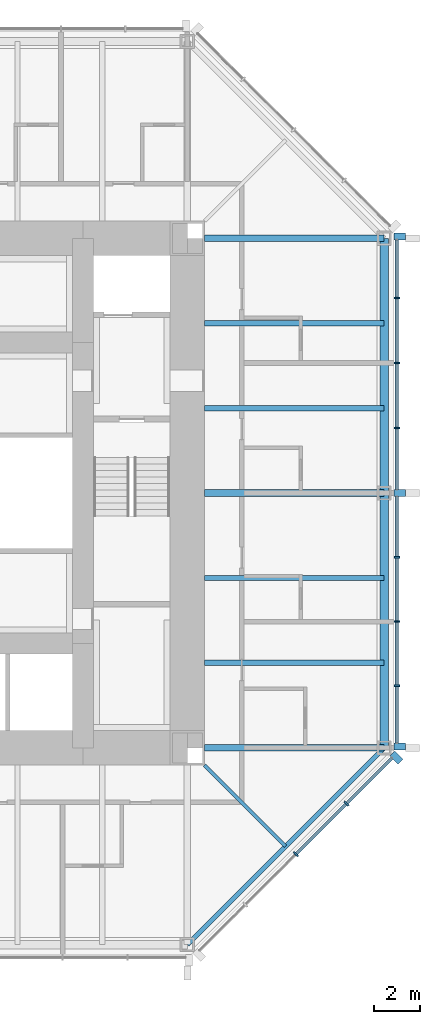
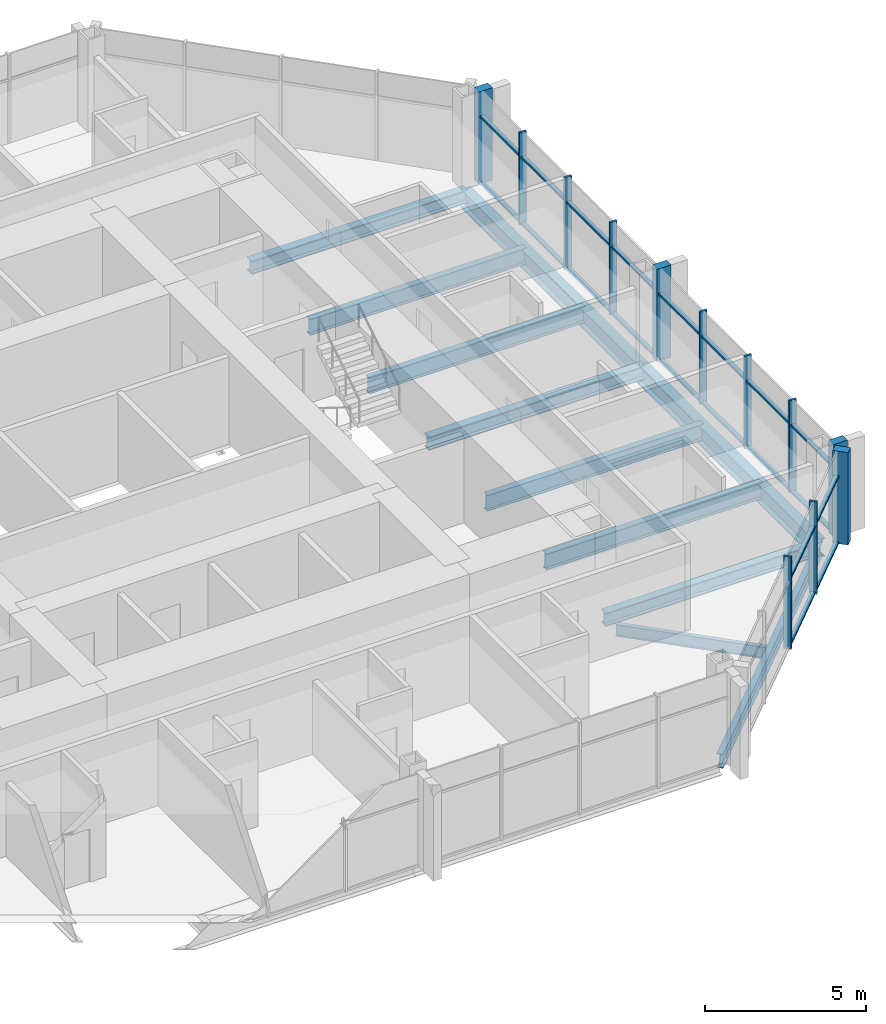
# One storey, part 4 of 12: 32 members, 11 beams, 2 elements without a shape of their own.
"""IFC4 building model written with IfcOpenShell, lengths in metres."""

from ifc_helpers import new_model, si_unit, direction, frame, origin, origin_2d, place, context, subcontext, project, spatial, rectangle, i_section, extrude, material, material_profile, profile_set, type_object, element, aggregate, save


model = new_model("IFC4")

# Units and contexts
model_context = context("Model", 3, precision=1e-05, world=origin(), true_north=direction((0.0, 1.0)))
body_context = subcontext(model_context, "Body", "Model", "MODEL_VIEW")
ifc_project = project(units=[si_unit("LENGTHUNIT", "METRE"), si_unit("AREAUNIT", "SQUARE_METRE"), si_unit("VOLUMEUNIT", "CUBIC_METRE"), si_unit("PLANEANGLEUNIT", "RADIAN"), si_unit("MASSUNIT", "GRAM", prefix="KILO")], contexts=[model_context])

# Site, building, storey
site_placement = place(None, origin())
site = spatial("IfcSite", under=ifc_project, at=site_placement, CompositionType="ELEMENT")
building_placement = place(site_placement, origin())
building = spatial("IfcBuilding", under=site, at=building_placement, Name="Trevanion Tower", CompositionType="ELEMENT")
storey_placement = place(building_placement, frame((0.0, 0.0, 190.699951171875)))
storey = spatial("IfcBuildingStorey", under=building, at=storey_placement, Name="L44", CompositionType="ELEMENT", Elevation=190.699951171875)

# Beams
ifc_material_1 = material(Name="Steel ASTM A992 Grade 50", Category="steel")
ifc_material_profile_1 = material_profile(ifc_material_1, i_section(OverallWidth=0.228271484375, OverallDepth=0.607177734375, WebThickness=0.01123046875, FlangeThickness=0.017333984375, at=origin_2d()), Name="W24X76")
ifc_profile_set_1 = profile_set([ifc_material_profile_1], Name="Steel ASTM A992 Grade 50")
beam_type_1 = type_object("IfcBeamType", Name="B11 W24X76", PredefinedType="BEAM", material=ifc_profile_set_1)
for number, where, z_axis, x_axis, name in (
    (1, (11.75, -7.333251953125, -0.493408203125), (1.0, 0.0, 0.0), (0.0, 1.0, 0.0), "B11 L44"),
    (2, (11.75, -3.666748046875, -0.493408203125), (1.0, 0.0, 0.0), (0.0, 1.0, 0.0), "B11 L44"),
    (3, (11.75, 3.666748046875, -0.493408203125), (1.0, 0.0, 0.0), (0.0, 1.0, 0.0), "B11 L44"),
    (4, (11.75, 7.333251953125, -0.493408203125), (1.0, 0.0, 0.0), (0.0, 1.0, 0.0), "B11 L44"),
):
    element("IfcBeam", number, at=place(storey_placement, frame(where, z_axis=z_axis, x_axis=x_axis)), inside=storey, type_object=beam_type_1, Name=name, PredefinedType="BEAM", context=body_context, shape_type="SweptSolid", body=[
        extrude(i_section(OverallWidth=0.228271484375, OverallDepth=0.607177734375, WebThickness=0.01123046875, FlangeThickness=0.017333984375, at=origin_2d()), origin(), (0.0, 0.0, 1.0), 7.75),
    ])
ifc_material_2 = material(Name="Steel ASTM A992 Grade 50", Category="steel")
ifc_material_profile_2 = material_profile(ifc_material_2, i_section(OverallWidth=0.15234375, OverallDepth=0.449462890625, WebThickness=0.007568359375, FlangeThickness=0.0107421875, at=origin_2d()), Name="W18X35")
ifc_profile_set_2 = profile_set([ifc_material_profile_2], Name="Steel ASTM A992 Grade 50")
beam_type_2 = type_object("IfcBeamType", Name="B12 W18X35", PredefinedType="BEAM", material=ifc_profile_set_2)
beam_1_placement = place(storey_placement, frame((11.75, -11.75, -0.414794921875), z_axis=(0.707106781187, -0.707106781187, 0.0), x_axis=(0.707106781187, 0.707106781187, 0.0)))
element("IfcBeam", 5, at=beam_1_placement, inside=storey, type_object=beam_type_2, Name="B12 L44", PredefinedType="BEAM", context=body_context, shape_type="SweptSolid", body=[
    extrude(i_section(OverallWidth=0.15234375, OverallDepth=0.449462890625, WebThickness=0.007568359375, FlangeThickness=0.0107421875, at=origin_2d()), origin(), (0.0, 0.0, 1.0), 4.94970703125),
])

# Curtain wall, members
ifc_material_3 = material(Name="Aluminium and glass", Category="aluminium")
curtain_wall_type = type_object("IfcCurtainWallType", Name="CW3 curtain wall", PredefinedType="USERDEFINED", material=ifc_material_3)
curtain_wall_1_placement = place(storey_placement, origin())
curtain_wall_1 = element("IfcCurtainWall", 6, at=curtain_wall_1_placement, inside=storey, type_object=curtain_wall_type, Name="CW3 L44 0", ObjectType="UNITISED CURTAIN WALL", PredefinedType="USERDEFINED")
ifc_material_4 = material(Name="Aluminium extrusion, anodised bronze", Category="aluminium")
ifc_material_profile_3 = material_profile(ifc_material_4, rectangle(XDim=0.074951171875, YDim=0.25, at=origin_2d()), Name="CW3 mullion")
ifc_profile_set_3 = profile_set([ifc_material_profile_3], Name="Aluminium extrusion, anodised bronze")
member_type_1 = type_object("IfcMemberType", Name="CW3 mullion", PredefinedType="MULLION", material=ifc_profile_set_3)
member_1_placement = place(storey_placement, frame((20.050048828125, -8.323486328125, -0.18994140625), z_axis=(0.0, 0.0, 1.0), x_axis=(0.0, 1.0, 0.0)))
member_1 = element("IfcMember", 7, at=member_1_placement, type_object=member_type_1, Name="CW3 mullion 2", PredefinedType="MULLION", context=body_context, shape_type="SweptSolid", body=[
    extrude(rectangle(XDim=0.074951171875, YDim=0.25, at=origin_2d()), origin(), (0.0, 0.0, 1.0), 3.5),
])
member_2_placement = place(storey_placement, frame((20.050048828125, -5.548828125, -0.18994140625), z_axis=(0.0, 0.0, 1.0), x_axis=(0.0, 1.0, 0.0)))
member_2 = element("IfcMember", 8, at=member_2_placement, type_object=member_type_1, Name="CW3 mullion 3", PredefinedType="MULLION", context=body_context, shape_type="SweptSolid", body=[
    extrude(rectangle(XDim=0.074951171875, YDim=0.25, at=origin_2d()), origin(), (0.0, 0.0, 1.0), 3.5),
])
member_3_placement = place(storey_placement, frame((20.050048828125, -2.7744140625, -0.18994140625), z_axis=(0.0, 0.0, 1.0), x_axis=(0.0, 1.0, 0.0)))
member_3 = element("IfcMember", 9, at=member_3_placement, type_object=member_type_1, Name="CW3 mullion 4", PredefinedType="MULLION", context=body_context, shape_type="SweptSolid", body=[
    extrude(rectangle(XDim=0.074951171875, YDim=0.25, at=origin_2d()), origin(), (0.0, 0.0, 1.0), 3.5),
])
member_4_placement = place(storey_placement, frame((20.050048828125, 2.806884765625, -0.18994140625), z_axis=(0.0, 0.0, 1.0), x_axis=(0.0, 1.0, 0.0)))
member_4 = element("IfcMember", 10, at=member_4_placement, type_object=member_type_1, Name="CW3 mullion 6", PredefinedType="MULLION", context=body_context, shape_type="SweptSolid", body=[
    extrude(rectangle(XDim=0.074951171875, YDim=0.25, at=origin_2d()), origin(), (0.0, 0.0, 1.0), 3.5),
])
member_5_placement = place(storey_placement, frame((20.050048828125, 5.614013671875, -0.18994140625), z_axis=(0.0, 0.0, 1.0), x_axis=(0.0, 1.0, 0.0)))
member_5 = element("IfcMember", 11, at=member_5_placement, type_object=member_type_1, Name="CW3 mullion 7", PredefinedType="MULLION", context=body_context, shape_type="SweptSolid", body=[
    extrude(rectangle(XDim=0.074951171875, YDim=0.25, at=origin_2d()), origin(), (0.0, 0.0, 1.0), 3.5),
])
member_6_placement = place(storey_placement, frame((20.050048828125, 8.4208984375, -0.18994140625), z_axis=(0.0, 0.0, 1.0), x_axis=(0.0, 1.0, 0.0)))
member_6 = element("IfcMember", 12, at=member_6_placement, type_object=member_type_1, Name="CW3 mullion 8", PredefinedType="MULLION", context=body_context, shape_type="SweptSolid", body=[
    extrude(rectangle(XDim=0.074951171875, YDim=0.25, at=origin_2d()), origin(), (0.0, 0.0, 1.0), 3.5),
])

curtain_wall_2_placement = place(storey_placement, origin())
curtain_wall_2 = element("IfcCurtainWall", 13, at=curtain_wall_2_placement, inside=storey, type_object=curtain_wall_type, Name="CW3 L44 7", ObjectType="UNITISED CURTAIN WALL", PredefinedType="USERDEFINED")
member_7_placement = place(storey_placement, frame((15.684814453125, -15.593017578125, -0.18994140625), z_axis=(0.0, 0.0, 1.0), x_axis=(0.707106781187, 0.707106781187, 0.0)))
member_7 = element("IfcMember", 14, at=member_7_placement, type_object=member_type_1, Name="CW3 mullion 3", PredefinedType="MULLION", context=body_context, shape_type="SweptSolid", body=[
    extrude(rectangle(XDim=0.074951171875, YDim=0.25, at=origin_2d()), origin(), (0.0, 0.0, 1.0), 3.5),
])
member_8_placement = place(storey_placement, frame((17.867431640625, -13.410400390625, -0.18994140625), z_axis=(0.0, 0.0, 1.0), x_axis=(0.707106781187, 0.707106781187, 0.0)))
member_8 = element("IfcMember", 15, at=member_8_placement, type_object=member_type_1, Name="CW3 mullion 4", PredefinedType="MULLION", context=body_context, shape_type="SweptSolid", body=[
    extrude(rectangle(XDim=0.074951171875, YDim=0.25, at=origin_2d()), origin(), (0.0, 0.0, 1.0), 3.5),
])

# Member
ifc_material_5 = material(Name="Aluminium extrusion, anodised bronze", Category="aluminium")
ifc_material_profile_4 = material_profile(ifc_material_5, rectangle(XDim=0.300048828125, YDim=0.5, at=origin_2d()), Name="CW3 pier mullion")
ifc_profile_set_4 = profile_set([ifc_material_profile_4], Name="Aluminium extrusion, anodised bronze")
member_type_2 = type_object("IfcMemberType", Name="CW3 pier mullion", PredefinedType="MULLION", material=ifc_profile_set_4)
member_9_placement = place(storey_placement, frame((20.175048828125, -10.94775390625, -0.18994140625), z_axis=(0.0, 0.0, 1.0), x_axis=(0.0, 1.0, 0.0)))
member_9 = element("IfcMember", 16, at=member_9_placement, type_object=member_type_2, Name="CW3 pier mullion 1", PredefinedType="MULLION", context=body_context, shape_type="SweptSolid", body=[
    extrude(rectangle(XDim=0.300048828125, YDim=0.5, at=origin_2d()), origin(), (0.0, 0.0, 1.0), 3.5),
])

member_10_placement = place(storey_placement, frame((20.175048828125, 0.0, -0.18994140625), z_axis=(0.0, 0.0, 1.0), x_axis=(0.0, 1.0, 0.0)))
member_10 = element("IfcMember", 17, at=member_10_placement, type_object=member_type_2, Name="CW3 pier mullion 5", PredefinedType="MULLION", context=body_context, shape_type="SweptSolid", body=[
    extrude(rectangle(XDim=0.300048828125, YDim=0.5, at=origin_2d()), origin(), (0.0, 0.0, 1.0), 3.5),
])

member_11_placement = place(storey_placement, frame((20.175048828125, 11.077880859375, -0.18994140625), z_axis=(0.0, 0.0, 1.0), x_axis=(0.0, 1.0, 0.0)))
member_11 = element("IfcMember", 18, at=member_11_placement, type_object=member_type_2, Name="CW3 pier mullion 9", PredefinedType="MULLION", context=body_context, shape_type="SweptSolid", body=[
    extrude(rectangle(XDim=0.300048828125, YDim=0.5, at=origin_2d()), origin(), (0.0, 0.0, 1.0), 3.5),
])

member_12_placement = place(storey_placement, frame((20.0322265625, -11.42236328125, -0.18994140625), z_axis=(0.0, 0.0, 1.0), x_axis=(0.707106781187, 0.707106781187, 0.0)))
member_12 = element("IfcMember", 19, at=member_12_placement, type_object=member_type_2, Name="CW3 pier mullion 5", PredefinedType="MULLION", context=body_context, shape_type="SweptSolid", body=[
    extrude(rectangle(XDim=0.300048828125, YDim=0.5, at=origin_2d()), origin(), (0.0, 0.0, 1.0), 3.5),
])

ifc_material_6 = material(Name="Aluminium extrusion, anodised bronze", Category="aluminium")
ifc_material_profile_5 = material_profile(ifc_material_6, rectangle(XDim=0.14990234375, YDim=0.074951171875, at=origin_2d()), Name="CW3 transom")
ifc_profile_set_5 = profile_set([ifc_material_profile_5], Name="Aluminium extrusion, anodised bronze")
member_type_3 = type_object("IfcMemberType", Name="CW3 transom", PredefinedType="USERDEFINED", material=ifc_profile_set_5)
member_13_placement = place(storey_placement, frame((20.050048828125, -10.7978515625, -0.15234375), z_axis=(0.0, 1.0, 0.0), x_axis=(-1.0, 0.0, 0.0)))
member_13 = element("IfcMember", 20, at=member_13_placement, type_object=member_type_3, Name="CW3 transom 1.1", ObjectType="TRANSOM", PredefinedType="USERDEFINED", context=body_context, shape_type="SweptSolid", body=[
    extrude(rectangle(XDim=0.14990234375, YDim=0.074951171875, at=origin_2d()), origin(), (0.0, 0.0, 1.0), 2.43701171875),
])

member_14_placement = place(storey_placement, frame((20.050048828125, -10.7978515625, 2.360107421875), z_axis=(0.0, 1.0, 0.0), x_axis=(-1.0, 0.0, 0.0)))
member_14 = element("IfcMember", 21, at=member_14_placement, type_object=member_type_3, Name="CW3 transom 1.2", ObjectType="TRANSOM", PredefinedType="USERDEFINED", context=body_context, shape_type="SweptSolid", body=[
    extrude(rectangle(XDim=0.14990234375, YDim=0.074951171875, at=origin_2d()), origin(), (0.0, 0.0, 1.0), 2.43701171875),
])

member_15_placement = place(storey_placement, frame((20.050048828125, -8.285888671875, -0.15234375), z_axis=(0.0, 1.0, 0.0), x_axis=(-1.0, 0.0, 0.0)))
member_15 = element("IfcMember", 22, at=member_15_placement, type_object=member_type_3, Name="CW3 transom 2.1", ObjectType="TRANSOM", PredefinedType="USERDEFINED", context=body_context, shape_type="SweptSolid", body=[
    extrude(rectangle(XDim=0.14990234375, YDim=0.074951171875, at=origin_2d()), origin(), (0.0, 0.0, 1.0), 2.699462890625),
])

member_16_placement = place(storey_placement, frame((20.050048828125, -8.285888671875, 2.360107421875), z_axis=(0.0, 1.0, 0.0), x_axis=(-1.0, 0.0, 0.0)))
member_16 = element("IfcMember", 23, at=member_16_placement, type_object=member_type_3, Name="CW3 transom 2.2", ObjectType="TRANSOM", PredefinedType="USERDEFINED", context=body_context, shape_type="SweptSolid", body=[
    extrude(rectangle(XDim=0.14990234375, YDim=0.074951171875, at=origin_2d()), origin(), (0.0, 0.0, 1.0), 2.699462890625),
])

member_17_placement = place(storey_placement, frame((20.050048828125, -5.511474609375, -0.15234375), z_axis=(0.0, 1.0, 0.0), x_axis=(-1.0, 0.0, 0.0)))
member_17 = element("IfcMember", 24, at=member_17_placement, type_object=member_type_3, Name="CW3 transom 3.1", ObjectType="TRANSOM", PredefinedType="USERDEFINED", context=body_context, shape_type="SweptSolid", body=[
    extrude(rectangle(XDim=0.14990234375, YDim=0.074951171875, at=origin_2d()), origin(), (0.0, 0.0, 1.0), 2.699462890625),
])

member_18_placement = place(storey_placement, frame((20.050048828125, -5.511474609375, 2.360107421875), z_axis=(0.0, 1.0, 0.0), x_axis=(-1.0, 0.0, 0.0)))
member_18 = element("IfcMember", 25, at=member_18_placement, type_object=member_type_3, Name="CW3 transom 3.2", ObjectType="TRANSOM", PredefinedType="USERDEFINED", context=body_context, shape_type="SweptSolid", body=[
    extrude(rectangle(XDim=0.14990234375, YDim=0.074951171875, at=origin_2d()), origin(), (0.0, 0.0, 1.0), 2.699462890625),
])

member_19_placement = place(storey_placement, frame((20.050048828125, -2.737060546875, -0.15234375), z_axis=(0.0, 1.0, 0.0), x_axis=(-1.0, 0.0, 0.0)))
member_19 = element("IfcMember", 26, at=member_19_placement, type_object=member_type_3, Name="CW3 transom 4.1", ObjectType="TRANSOM", PredefinedType="USERDEFINED", context=body_context, shape_type="SweptSolid", body=[
    extrude(rectangle(XDim=0.14990234375, YDim=0.074951171875, at=origin_2d()), origin(), (0.0, 0.0, 1.0), 2.587158203125),
])

member_20_placement = place(storey_placement, frame((20.050048828125, -2.737060546875, 2.360107421875), z_axis=(0.0, 1.0, 0.0), x_axis=(-1.0, 0.0, 0.0)))
member_20 = element("IfcMember", 27, at=member_20_placement, type_object=member_type_3, Name="CW3 transom 4.2", ObjectType="TRANSOM", PredefinedType="USERDEFINED", context=body_context, shape_type="SweptSolid", body=[
    extrude(rectangle(XDim=0.14990234375, YDim=0.074951171875, at=origin_2d()), origin(), (0.0, 0.0, 1.0), 2.587158203125),
])

member_21_placement = place(storey_placement, frame((20.050048828125, 0.14990234375, -0.15234375), z_axis=(0.0, 1.0, 0.0), x_axis=(-1.0, 0.0, 0.0)))
member_21 = element("IfcMember", 28, at=member_21_placement, type_object=member_type_3, Name="CW3 transom 5.1", ObjectType="TRANSOM", PredefinedType="USERDEFINED", context=body_context, shape_type="SweptSolid", body=[
    extrude(rectangle(XDim=0.14990234375, YDim=0.074951171875, at=origin_2d()), origin(), (0.0, 0.0, 1.0), 2.619384765625),
])

member_22_placement = place(storey_placement, frame((20.050048828125, 0.14990234375, 2.360107421875), z_axis=(0.0, 1.0, 0.0), x_axis=(-1.0, 0.0, 0.0)))
member_22 = element("IfcMember", 29, at=member_22_placement, type_object=member_type_3, Name="CW3 transom 5.2", ObjectType="TRANSOM", PredefinedType="USERDEFINED", context=body_context, shape_type="SweptSolid", body=[
    extrude(rectangle(XDim=0.14990234375, YDim=0.074951171875, at=origin_2d()), origin(), (0.0, 0.0, 1.0), 2.619384765625),
])

member_23_placement = place(storey_placement, frame((20.050048828125, 2.844482421875, -0.15234375), z_axis=(0.0, 1.0, 0.0), x_axis=(-1.0, 0.0, 0.0)))
member_23 = element("IfcMember", 30, at=member_23_placement, type_object=member_type_3, Name="CW3 transom 6.1", ObjectType="TRANSOM", PredefinedType="USERDEFINED", context=body_context, shape_type="SweptSolid", body=[
    extrude(rectangle(XDim=0.14990234375, YDim=0.074951171875, at=origin_2d()), origin(), (0.0, 0.0, 1.0), 2.73193359375),
])

member_24_placement = place(storey_placement, frame((20.050048828125, 2.844482421875, 2.360107421875), z_axis=(0.0, 1.0, 0.0), x_axis=(-1.0, 0.0, 0.0)))
member_24 = element("IfcMember", 31, at=member_24_placement, type_object=member_type_3, Name="CW3 transom 6.2", ObjectType="TRANSOM", PredefinedType="USERDEFINED", context=body_context, shape_type="SweptSolid", body=[
    extrude(rectangle(XDim=0.14990234375, YDim=0.074951171875, at=origin_2d()), origin(), (0.0, 0.0, 1.0), 2.73193359375),
])

member_25_placement = place(storey_placement, frame((20.050048828125, 5.6513671875, -0.15234375), z_axis=(0.0, 1.0, 0.0), x_axis=(-1.0, 0.0, 0.0)))
member_25 = element("IfcMember", 32, at=member_25_placement, type_object=member_type_3, Name="CW3 transom 7.1", ObjectType="TRANSOM", PredefinedType="USERDEFINED", context=body_context, shape_type="SweptSolid", body=[
    extrude(rectangle(XDim=0.14990234375, YDim=0.074951171875, at=origin_2d()), origin(), (0.0, 0.0, 1.0), 2.73193359375),
])

member_26_placement = place(storey_placement, frame((20.050048828125, 5.6513671875, 2.360107421875), z_axis=(0.0, 1.0, 0.0), x_axis=(-1.0, 0.0, 0.0)))
member_26 = element("IfcMember", 33, at=member_26_placement, type_object=member_type_3, Name="CW3 transom 7.2", ObjectType="TRANSOM", PredefinedType="USERDEFINED", context=body_context, shape_type="SweptSolid", body=[
    extrude(rectangle(XDim=0.14990234375, YDim=0.074951171875, at=origin_2d()), origin(), (0.0, 0.0, 1.0), 2.73193359375),
])

member_27_placement = place(storey_placement, frame((20.050048828125, 8.45849609375, -0.15234375), z_axis=(0.0, 1.0, 0.0), x_axis=(-1.0, 0.0, 0.0)))
member_27 = element("IfcMember", 34, at=member_27_placement, type_object=member_type_3, Name="CW3 transom 8.1", ObjectType="TRANSOM", PredefinedType="USERDEFINED", context=body_context, shape_type="SweptSolid", body=[
    extrude(rectangle(XDim=0.14990234375, YDim=0.074951171875, at=origin_2d()), origin(), (0.0, 0.0, 1.0), 2.46923828125),
])

member_28_placement = place(storey_placement, frame((20.050048828125, 8.45849609375, 2.360107421875), z_axis=(0.0, 1.0, 0.0), x_axis=(-1.0, 0.0, 0.0)))
member_28 = element("IfcMember", 35, at=member_28_placement, type_object=member_type_3, Name="CW3 transom 8.2", ObjectType="TRANSOM", PredefinedType="USERDEFINED", context=body_context, shape_type="SweptSolid", body=[
    extrude(rectangle(XDim=0.14990234375, YDim=0.074951171875, at=origin_2d()), origin(), (0.0, 0.0, 1.0), 2.46923828125),
])

aggregate(curtain_wall_1, [member_9, member_1, member_2, member_3, member_10, member_4, member_5, member_6, member_11, member_13, member_14, member_15, member_16, member_17, member_18, member_19, member_20, member_21, member_22, member_23, member_24, member_25, member_26, member_27, member_28])

member_29_placement = place(storey_placement, frame((15.71142578125, -15.56640625, -0.15234375), z_axis=(0.707106781187, 0.707106781187, 0.0), x_axis=(-0.707106781187, 0.707106781187, 0.0)))
member_29 = element("IfcMember", 36, at=member_29_placement, type_object=member_type_3, Name="CW3 transom 3.1", ObjectType="TRANSOM", PredefinedType="USERDEFINED", context=body_context, shape_type="SweptSolid", body=[
    extrude(rectangle(XDim=0.14990234375, YDim=0.074951171875, at=origin_2d()), origin(), (0.0, 0.0, 1.0), 3.011474609375),
])

member_30_placement = place(storey_placement, frame((15.71142578125, -15.56640625, 2.360107421875), z_axis=(0.707106781187, 0.707106781187, 0.0), x_axis=(-0.707106781187, 0.707106781187, 0.0)))
member_30 = element("IfcMember", 37, at=member_30_placement, type_object=member_type_3, Name="CW3 transom 3.2", ObjectType="TRANSOM", PredefinedType="USERDEFINED", context=body_context, shape_type="SweptSolid", body=[
    extrude(rectangle(XDim=0.14990234375, YDim=0.074951171875, at=origin_2d()), origin(), (0.0, 0.0, 1.0), 3.011474609375),
])

member_31_placement = place(storey_placement, frame((17.89404296875, -13.3837890625, -0.15234375), z_axis=(0.707106781187, 0.707106781187, 0.0), x_axis=(-0.707106781187, 0.707106781187, 0.0)))
member_31 = element("IfcMember", 38, at=member_31_placement, type_object=member_type_3, Name="CW3 transom 4.1", ObjectType="TRANSOM", PredefinedType="USERDEFINED", context=body_context, shape_type="SweptSolid", body=[
    extrude(rectangle(XDim=0.14990234375, YDim=0.074951171875, at=origin_2d()), origin(), (0.0, 0.0, 1.0), 2.7490234375),
])

member_32_placement = place(storey_placement, frame((17.89404296875, -13.3837890625, 2.360107421875), z_axis=(0.707106781187, 0.707106781187, 0.0), x_axis=(-0.707106781187, 0.707106781187, 0.0)))
member_32 = element("IfcMember", 39, at=member_32_placement, type_object=member_type_3, Name="CW3 transom 4.2", ObjectType="TRANSOM", PredefinedType="USERDEFINED", context=body_context, shape_type="SweptSolid", body=[
    extrude(rectangle(XDim=0.14990234375, YDim=0.074951171875, at=origin_2d()), origin(), (0.0, 0.0, 1.0), 2.7490234375),
])

aggregate(curtain_wall_2, [member_7, member_8, member_12, member_29, member_30, member_31, member_32])

# Beams
ifc_material_7 = material(Name="Steel ASTM A992 Grade 50", Category="steel")
ifc_material_profile_6 = material_profile(ifc_material_7, i_section(OverallWidth=0.28955078125, OverallDepth=0.508056640625, WebThickness=0.022705078125, FlangeThickness=0.040283203125, at=origin_2d()), Name="W18X175")
ifc_profile_set_6 = profile_set([ifc_material_profile_6], Name="Steel ASTM A992 Grade 50")
beam_type_3 = type_object("IfcBeamType", Name="G6 W18X175", PredefinedType="BEAM", material=ifc_profile_set_6)
for number, where, z_axis, x_axis, name in (
    (40, (11.75, -11.0, -0.44384765625), (1.0, 0.0, 0.0), (0.0, 1.0, 0.0), "G6 L44"),
    (41, (11.75, 0.0, -0.44384765625), (1.0, 0.0, 0.0), (0.0, 1.0, 0.0), "G6 L44"),
    (42, (11.75, 11.0, -0.44384765625), (1.0, 0.0, 0.0), (0.0, 1.0, 0.0), "G6 L44"),
):
    element("IfcBeam", number, at=place(storey_placement, frame(where, z_axis=z_axis, x_axis=x_axis)), inside=storey, type_object=beam_type_3, Name=name, PredefinedType="BEAM", context=body_context, shape_type="SweptSolid", body=[
        extrude(i_section(OverallWidth=0.28955078125, OverallDepth=0.508056640625, WebThickness=0.022705078125, FlangeThickness=0.040283203125, at=origin_2d()), origin(), (0.0, 0.0, 1.0), 7.75),
    ])
ifc_material_8 = material(Name="Steel ASTM A992 Grade 50", Category="steel")
ifc_material_profile_7 = material_profile(ifc_material_8, i_section(OverallWidth=0.355712890625, OverallDepth=0.696044921875, WebThickness=0.015380859375, FlangeThickness=0.024658203125, at=origin_2d()), Name="W27X146")
ifc_profile_set_7 = profile_set([ifc_material_profile_7], Name="Steel ASTM A992 Grade 50")
beam_type_4 = type_object("IfcBeamType", Name="SB8 W27X146", PredefinedType="SPANDREL", material=ifc_profile_set_7)
for number, where, z_axis, x_axis, name in (
    (43, (19.5, -11.0, -0.537841796875), (0.0, 1.0, 0.0), (-1.0, 0.0, 0.0), "SB8 L44"),
    (44, (19.5, 0.0, -0.537841796875), (0.0, 1.0, 0.0), (-1.0, 0.0, 0.0), "SB8 L44"),
):
    element("IfcBeam", number, at=place(storey_placement, frame(where, z_axis=z_axis, x_axis=x_axis)), inside=storey, type_object=beam_type_4, Name=name, PredefinedType="SPANDREL", context=body_context, shape_type="SweptSolid", body=[
        extrude(i_section(OverallWidth=0.355712890625, OverallDepth=0.696044921875, WebThickness=0.015380859375, FlangeThickness=0.024658203125, at=origin_2d()), origin(), (0.0, 0.0, 1.0), 11.0),
    ])
ifc_material_9 = material(Name="Steel ASTM A992 Grade 50", Category="steel")
ifc_material_profile_8 = material_profile(ifc_material_9, i_section(OverallWidth=0.209228515625, OverallDepth=0.533447265625, WebThickness=0.01025390625, FlangeThickness=0.015625, at=origin_2d()), Name="W21X62")
ifc_profile_set_8 = profile_set([ifc_material_profile_8], Name="Steel ASTM A992 Grade 50")
beam_type_5 = type_object("IfcBeamType", Name="SB9 W21X62", PredefinedType="SPANDREL", material=ifc_profile_set_8)
beam_2_placement = place(storey_placement, frame((11.0, -19.5, -0.45654296875), z_axis=(0.707106781187, 0.707106781187, 0.0), x_axis=(-0.707106781187, 0.707106781187, 0.0)))
element("IfcBeam", 45, at=beam_2_placement, inside=storey, type_object=beam_type_5, Name="SB9 L44", PredefinedType="SPANDREL", context=body_context, shape_type="SweptSolid", body=[
    extrude(i_section(OverallWidth=0.209228515625, OverallDepth=0.533447265625, WebThickness=0.01025390625, FlangeThickness=0.015625, at=origin_2d()), origin(), (0.0, 0.0, 1.0), 12.020751953125),
])

save(model, "model.ifc")
